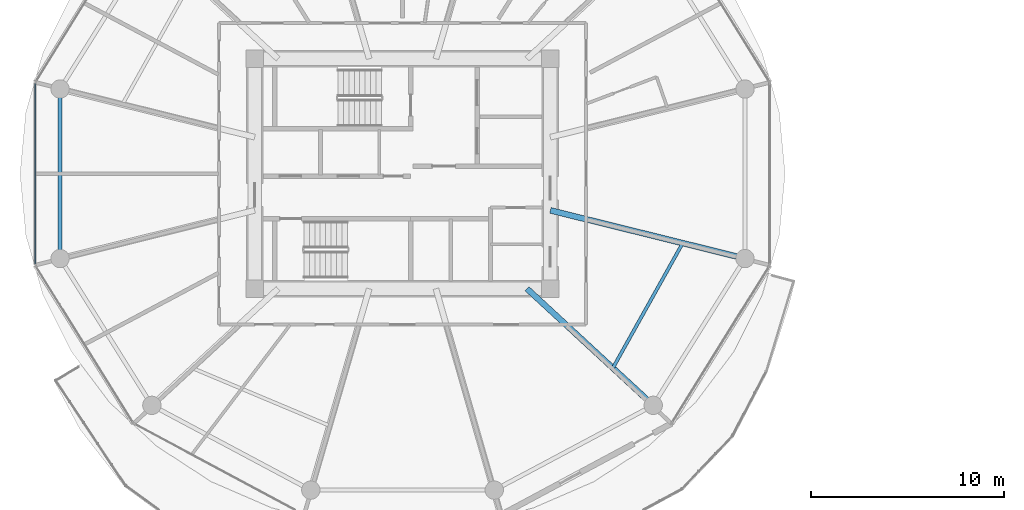
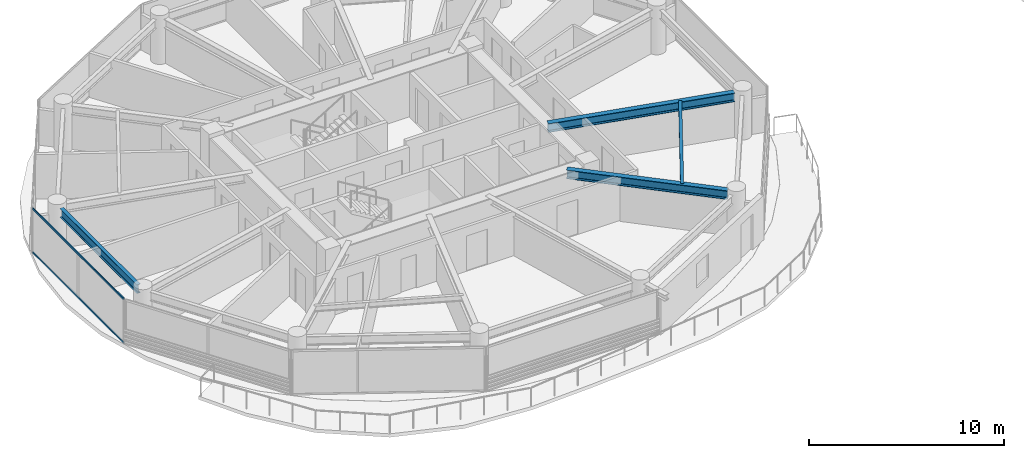
# One storey, part 3 of 26: 4 beams, 2 members, 1 element without a shape of its own.
"""IFC4 building model written with IfcOpenShell, lengths in metres."""

from ifc_helpers import new_model, si_unit, direction, frame, origin, origin_2d, place, context, subcontext, project, spatial, rectangle, i_section, extrude, source, transform, mapped, material, layer, layer_set, material_profile, profile_set, type_object, type_shapes, element, aggregate, save


model = new_model("IFC4")

# Units and contexts
model_context = context("Model", 3, precision=1e-05, world=origin(), true_north=direction((0.0, 1.0)))
body_context = subcontext(model_context, "Body", "Model", "MODEL_VIEW")
ifc_project = project(units=[si_unit("LENGTHUNIT", "METRE"), si_unit("AREAUNIT", "SQUARE_METRE"), si_unit("VOLUMEUNIT", "CUBIC_METRE"), si_unit("PLANEANGLEUNIT", "RADIAN"), si_unit("MASSUNIT", "GRAM", prefix="KILO")], contexts=[model_context])

# Site, building, storey
site_placement = place(None, origin())
site = spatial("IfcSite", under=ifc_project, at=site_placement, CompositionType="ELEMENT")
building_placement = place(site_placement, origin())
building = spatial("IfcBuilding", under=site, at=building_placement, Name="Norrkilde Senior Care Towers", CompositionType="ELEMENT")
storey_placement = place(building_placement, frame((0.0, 0.0, 55.14990234375)))
storey = spatial("IfcBuildingStorey", under=building, at=storey_placement, Name="L16", CompositionType="ELEMENT", Elevation=55.14990234375)

# Beams
ifc_material_1 = material(Name="Steel S355", Category="steel")
ifc_material_profile_1 = material_profile(ifc_material_1, i_section(OverallWidth=0.300048828125, OverallDepth=0.550048828125, WebThickness=0.014892578125, FlangeThickness=0.029052734375, FilletRadius=0.027099609375, at=origin_2d()), Name="HEB 550")
ifc_profile_set_1 = profile_set([ifc_material_profile_1], Name="Steel S355")
beam_type_1 = type_object("IfcBeamType", Name="Radial Floor Beam Z1 HEB550", PredefinedType="BEAM", material=ifc_profile_set_1)
shared_shape_1 = source(origin(), body_context, "Body", "SweptSolid", [
    extrude(i_section(OverallWidth=0.300048828125, OverallDepth=0.550048828125, WebThickness=0.014892578125, FlangeThickness=0.029052734375, FilletRadius=0.027099609375, at=origin_2d()), origin(), (0.0, 0.0, 1.0), 9.94384765625),
])
beam_1_placement = place(storey_placement, frame((-20.35009765625, -1.893310546875, 2.51513671875), z_axis=(0.970707425182, -0.240264634718, 0.0), x_axis=(0.240264634718, 0.970707425182, 0.0)))
element("IfcBeam", 1, at=beam_1_placement, inside=storey, type_object=beam_type_1, Name="L16 Drum W Radial Floor Beam 12", PredefinedType="BEAM", context=body_context, shape_type="MappedRepresentation", body=[
    mapped(shared_shape_1, transform((0.0, 0.0, 0.0), x_axis=(1.0, 0.0, 0.0), y_axis=(0.0, 1.0, 0.0), z_axis=(0.0, 0.0, 1.0), scale=1.0)),
])
shared_shape_2 = source(origin(), body_context, "Body", "SweptSolid", [
    extrude(i_section(OverallWidth=0.300048828125, OverallDepth=0.550048828125, WebThickness=0.014892578125, FlangeThickness=0.029052734375, FilletRadius=0.027099609375, at=origin_2d()), origin(), (0.0, 0.0, 1.0), 8.459716796875),
])
type_shapes(beam_type_1, [shared_shape_1, shared_shape_2])
beam_2_placement = place(storey_placement, frame((-21.55859375, -5.949951171875, 2.51513671875), z_axis=(0.734573269108, -0.678529374686, 0.0), x_axis=(0.678529374686, 0.734573269108, 0.0)))
element("IfcBeam", 2, at=beam_2_placement, inside=storey, type_object=beam_type_1, Name="L16 Drum W Radial Floor Beam 11", PredefinedType="BEAM", context=body_context, shape_type="MappedRepresentation", body=[
    mapped(shared_shape_2, transform((0.0, 0.0, 0.0), x_axis=(1.0, 0.0, 0.0), y_axis=(0.0, 1.0, 0.0), z_axis=(0.0, 0.0, 1.0), scale=1.0)),
])
ifc_material_profile_2 = material_profile(ifc_material_1, i_section(OverallWidth=0.2099609375, OverallDepth=0.550048828125, WebThickness=0.010986328125, FlangeThickness=0.01708984375, FilletRadius=0.02392578125, at=origin_2d()), Name="IPE 550")
ifc_profile_set_2 = profile_set([ifc_material_profile_2], Name="Steel S355")
beam_type_2 = type_object("IfcBeamType", Name="Perimeter Ring Spandrel Z1 IPE550", PredefinedType="SPANDREL", material=ifc_profile_set_2)
shared_shape_3 = source(origin(), body_context, "Body", "SweptSolid", [
    extrude(i_section(OverallWidth=0.2099609375, OverallDepth=0.550048828125, WebThickness=0.010986328125, FlangeThickness=0.01708984375, FilletRadius=0.02392578125, at=origin_2d()), origin(), (0.0, 0.0, 1.0), 7.90380859375),
])
type_shapes(beam_type_2, [shared_shape_3])
beam_3_placement = place(storey_placement, frame((-45.724853515625, 3.951904296875, 2.51513671875), z_axis=(0.0, -1.0, 0.0), x_axis=(1.0, 0.0, 0.0)))
element("IfcBeam", 3, at=beam_3_placement, inside=storey, type_object=beam_type_2, Name="L16 Drum W Perimeter Spandrel 06", PredefinedType="SPANDREL", context=body_context, shape_type="MappedRepresentation", body=[
    mapped(shared_shape_3, transform((0.0, 0.0, 0.0), x_axis=(1.0, 0.0, 0.0), y_axis=(0.0, 1.0, 0.0), z_axis=(0.0, 0.0, 1.0), scale=1.0)),
])
ifc_material_profile_3 = material_profile(ifc_material_1, i_section(OverallWidth=0.169921875, OverallDepth=0.360107421875, WebThickness=0.008056640625, FlangeThickness=0.0126953125, FilletRadius=0.01806640625, at=origin_2d()), Name="IPE 360")
ifc_profile_set_3 = profile_set([ifc_material_profile_3], Name="Steel S355")
beam_type_3 = type_object("IfcBeamType", Name="Secondary Floor Joist IPE360", PredefinedType="JOIST", material=ifc_profile_set_3)
shared_shape_4 = source(origin(), body_context, "Body", "SweptSolid", [
    extrude(i_section(OverallWidth=0.169921875, OverallDepth=0.360107421875, WebThickness=0.008056640625, FlangeThickness=0.0126953125, FilletRadius=0.01806640625, at=origin_2d()), origin(), (0.0, 0.0, 1.0), 7.40771484375),
])
type_shapes(beam_type_3, [shared_shape_4])
beam_4_placement = place(storey_placement, frame((-17.115478515625, -10.05419921875, 2.610107421875), z_axis=(0.488167754092, 0.872749817453, 0.0), x_axis=(-0.872749817453, 0.488167754092, 0.0)))
element("IfcBeam", 4, at=beam_4_placement, inside=storey, type_object=beam_type_3, Name="L16 Drum W Secondary Floor Joist 4", PredefinedType="JOIST", context=body_context, shape_type="MappedRepresentation", body=[
    mapped(shared_shape_4, transform((0.0, 0.0, 0.0), x_axis=(1.0, 0.0, 0.0), y_axis=(0.0, 1.0, 0.0), z_axis=(0.0, 0.0, 1.0), scale=1.0)),
])

# Curtain wall, members
ifc_material_2 = material(Name="Triple Low-E Insulated Glazing", Category="glass")
ifc_layer = layer(ifc_material_2, 0.199951171875)
ifc_layer_set = layer_set([ifc_layer], Name="Triple Low-E Insulated Glazing")
curtain_wall_type = type_object("IfcCurtainWallType", Name="CW2 Zone 1 Memory Care Curtain Wall", PredefinedType="NOTDEFINED", material=ifc_layer_set)
curtain_wall_placement = place(storey_placement, origin())
curtain_wall = element("IfcCurtainWall", 5, at=curtain_wall_placement, inside=storey, type_object=curtain_wall_type, Name="L16 Drum W Curtain Wall 05", PredefinedType="NOTDEFINED")
ifc_material_3 = material(Name="Anodised Aluminium", Category="aluminium")
ifc_material_profile_4 = material_profile(ifc_material_3, rectangle(XDim=0.06005859375, YDim=0.1201171875, at=origin_2d()), Name="ALU TRAN 60x120")
ifc_profile_set_4 = profile_set([ifc_material_profile_4], Name="Anodised Aluminium")
member_type = type_object("IfcMemberType", Name="Curtain Wall Transom Typical 60x120", PredefinedType="USERDEFINED", material=ifc_profile_set_4)
shared_shape_5 = source(origin(), body_context, "Body", "SweptSolid", [
    extrude(rectangle(XDim=0.06005859375, YDim=0.1201171875, at=origin_2d()), origin(), (0.0, 0.0, 1.0), 9.33251953125),
])
type_shapes(member_type, [shared_shape_5])
member_1_placement = place(storey_placement, frame((-47.009521484375, -4.666259765625, 0.030029296875), z_axis=(0.0, 1.0, 0.0), x_axis=(-1.0, 0.0, 0.0)))
member_1 = element("IfcMember", 6, at=member_1_placement, type_object=member_type, Name="CW-2 transom 1.1", ObjectType="TRANSOM", PredefinedType="USERDEFINED", context=body_context, shape_type="MappedRepresentation", body=[
    mapped(shared_shape_5, transform((0.0, 0.0, 0.0), x_axis=(1.0, 0.0, 0.0), y_axis=(0.0, 1.0, 0.0), z_axis=(0.0, 0.0, 1.0), scale=1.0)),
])
member_2_placement = place(storey_placement, frame((-47.009521484375, -4.666259765625, 2.760009765625), z_axis=(0.0, 1.0, 0.0), x_axis=(-1.0, 0.0, 0.0)))
member_2 = element("IfcMember", 7, at=member_2_placement, type_object=member_type, Name="CW-2 transom 1.2", ObjectType="TRANSOM", PredefinedType="USERDEFINED", context=body_context, shape_type="MappedRepresentation", body=[
    mapped(shared_shape_5, transform((0.0, 0.0, 0.0), x_axis=(1.0, 0.0, 0.0), y_axis=(0.0, 1.0, 0.0), z_axis=(0.0, 0.0, 1.0), scale=1.0)),
])
aggregate(curtain_wall, [member_1, member_2])

save(model, "model.ifc")
